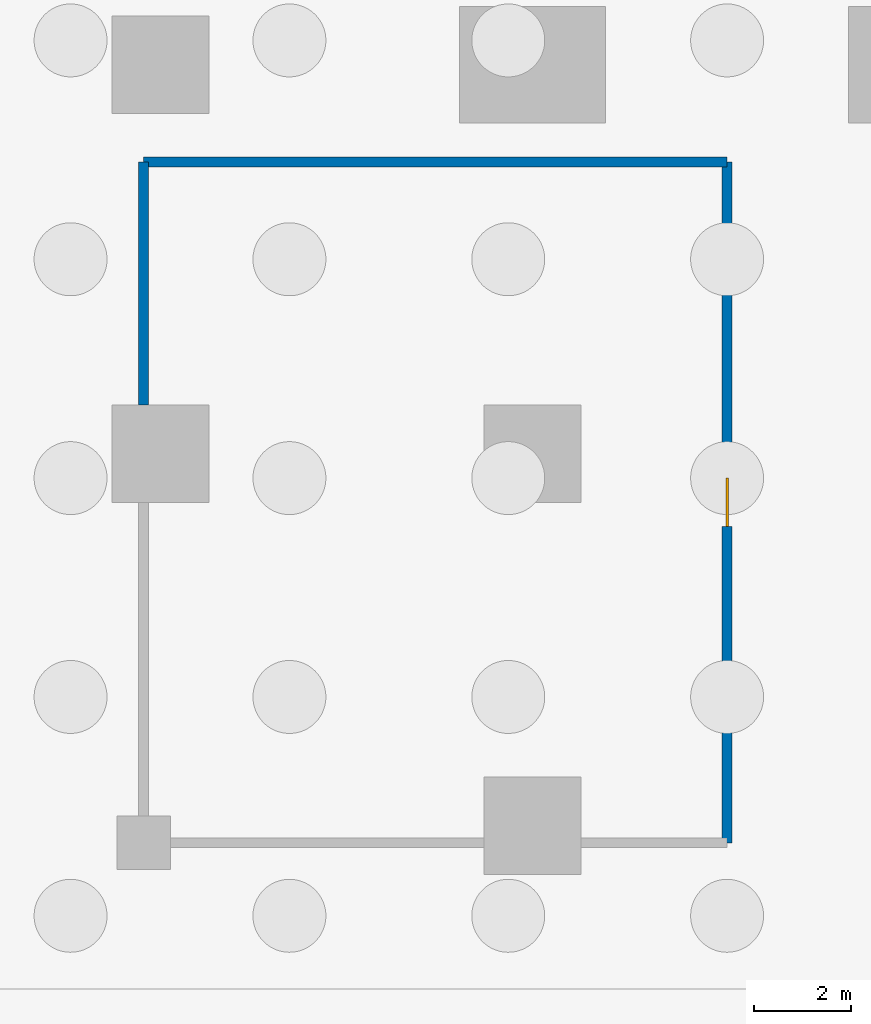
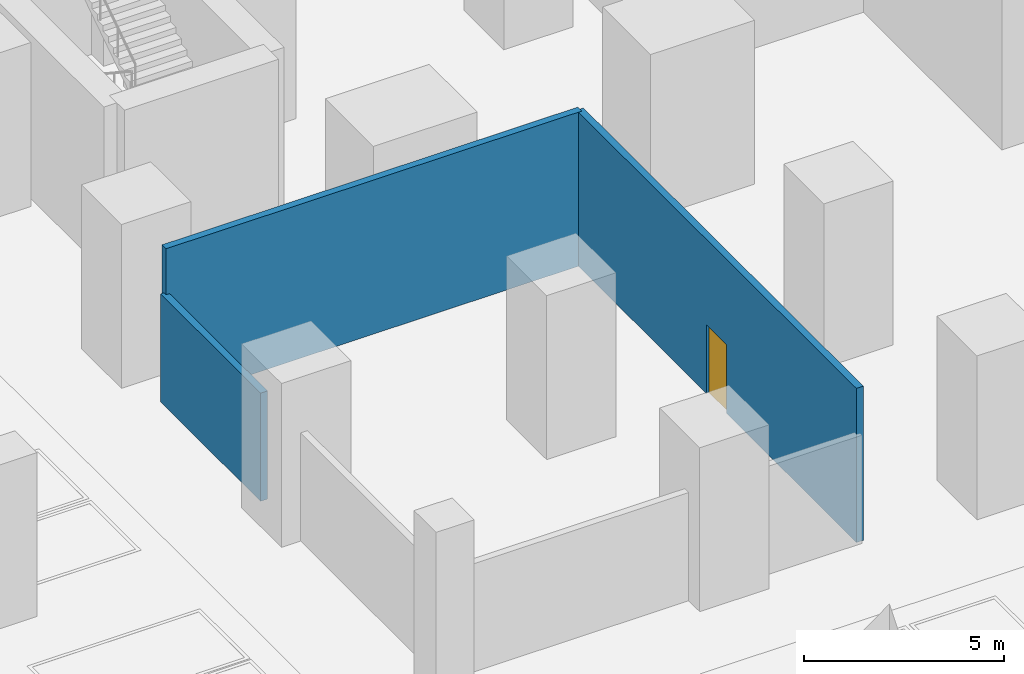
# One storey, part 5 of 17: 3 walls, 1 door, 1 opening.
"""IFC4 building model written with IfcOpenShell, lengths in metres."""

from ifc_helpers import new_model, si_unit, direction, frame, frame_2d, origin, place, context, subcontext, project, spatial, rectangle, extrude, material, layer, layer_set, type_object, element, fill, save


model = new_model("IFC4")

# Units and contexts
model_context = context("Model", 3, precision=1e-05, world=origin(), true_north=direction((0.0, 1.0)))
body_context = subcontext(model_context, "Body", "Model", "MODEL_VIEW")
ifc_project = project(units=[si_unit("LENGTHUNIT", "METRE"), si_unit("AREAUNIT", "SQUARE_METRE"), si_unit("VOLUMEUNIT", "CUBIC_METRE"), si_unit("PLANEANGLEUNIT", "RADIAN"), si_unit("MASSUNIT", "GRAM", prefix="KILO")], contexts=[model_context])

# Site, building, storey
site_placement = place(None, origin())
site = spatial("IfcSite", under=ifc_project, at=site_placement, CompositionType="ELEMENT")
building_placement = place(site_placement, origin())
building = spatial("IfcBuilding", under=site, at=building_placement, Name="Cleftline Residences", CompositionType="ELEMENT")
storey_placement = place(building_placement, frame((0.0, 0.0, -5.0)))
storey = spatial("IfcBuildingStorey", under=building, at=storey_placement, Name="L-01", CompositionType="ELEMENT", Elevation=-5.0)

# Walls
ifc_material_1 = material(Name="Concrete blockwork, fire rated", Category="masonry")
ifc_layer = layer(ifc_material_1, 0.199951171875)
ifc_layer_set = layer_set([ifc_layer], Name="FIRE WALL 200")
wall_type = type_object("IfcWallType", Name="FIRE WALL 200", PredefinedType="PARTITIONING", material=ifc_layer_set)
wall_1_placement = place(storey_placement, frame((0.0, 14.0, 0.0), z_axis=(0.0, 0.0, 1.0), x_axis=(1.0, 0.0, 0.0)))
element("IfcWall", 1, at=wall_1_placement, inside=storey, type_object=wall_type, Name="Fire separating wall", PredefinedType="PARTITIONING", context=body_context, shape_type="SweptSolid", body=[
    extrude(rectangle(XDim=12.0, YDim=0.199951171875, at=frame_2d((6.0, 0.0))), origin(), (0.0, 0.0, 1.0), 4.699951171875),
])
wall_2_placement = place(storey_placement, frame((0.0, 9.0, 0.0), z_axis=(0.0, 0.0, 1.0), x_axis=(0.0, 1.0, 0.0)))
element("IfcWall", 2, at=wall_2_placement, inside=storey, type_object=wall_type, Name="Fire separating wall", PredefinedType="PARTITIONING", context=body_context, shape_type="SweptSolid", body=[
    extrude(rectangle(XDim=5.0, YDim=0.199951171875, at=frame_2d((2.5, 0.0))), origin(), (0.0, 0.0, 1.0), 3.300048828125),
])

# Wall, opening, door
wall_3_placement = place(storey_placement, frame((12.0, 0.0, 0.0), z_axis=(0.0, 0.0, 1.0), x_axis=(0.0, 1.0, 0.0)))
wall_3 = element("IfcWall", 3, at=wall_3_placement, inside=storey, type_object=wall_type, Name="Fire separating wall", PredefinedType="PARTITIONING", context=body_context, shape_type="SweptSolid", body=[
    extrude(rectangle(XDim=14.0, YDim=0.199951171875, at=frame_2d((7.0, 0.0))), origin(), (0.0, 0.0, 1.0), 4.699951171875),
])
opening_placement = place(wall_3_placement, frame((6.5, 0.0, 0.0)))
opening = element("IfcOpeningElement", 4, at=opening_placement, cuts=wall_3, Name="Opening D2F60", PredefinedType="OPENING", context=body_context, shape_type="SweptSolid", body=[
    extrude(rectangle(XDim=1.0, YDim=2.10009765625, at=frame_2d((0.5, 1.050048828125))), frame((0.0, 0.10986328125, 0.0), z_axis=(0.0, -1.0, 0.0), x_axis=(1.0, 0.0, 0.0)), (0.0, 0.0, 1.0), 0.219970703125),
])
ifc_material_2 = material(Name="Timber veneer on solid core", Category="wood")
door_type = type_object("IfcDoorType", Name="DOOR 1000X2100 EI 60", OperationType="SINGLE_SWING_LEFT", PredefinedType="DOOR", material=ifc_material_2)
door_placement = place(opening_placement, origin())
door = element("IfcDoor", 5, at=door_placement, inside=storey, type_object=door_type, Name="Door to generator room", OperationType="SINGLE_SWING_LEFT", OverallHeight=2.10009765625, OverallWidth=1.0, PredefinedType="DOOR", context=body_context, shape_type="SweptSolid", body=[
    extrude(rectangle(XDim=1.0, YDim=2.10009765625, at=frame_2d((0.5, 1.050048828125))), frame((0.0, 0.02490234375, 0.0), z_axis=(0.0, -1.0, 0.0), x_axis=(1.0, 0.0, 0.0)), (0.0, 0.0, 1.0), 0.050048828125),
])
fill(opening, door)

save(model, "model.ifc")
